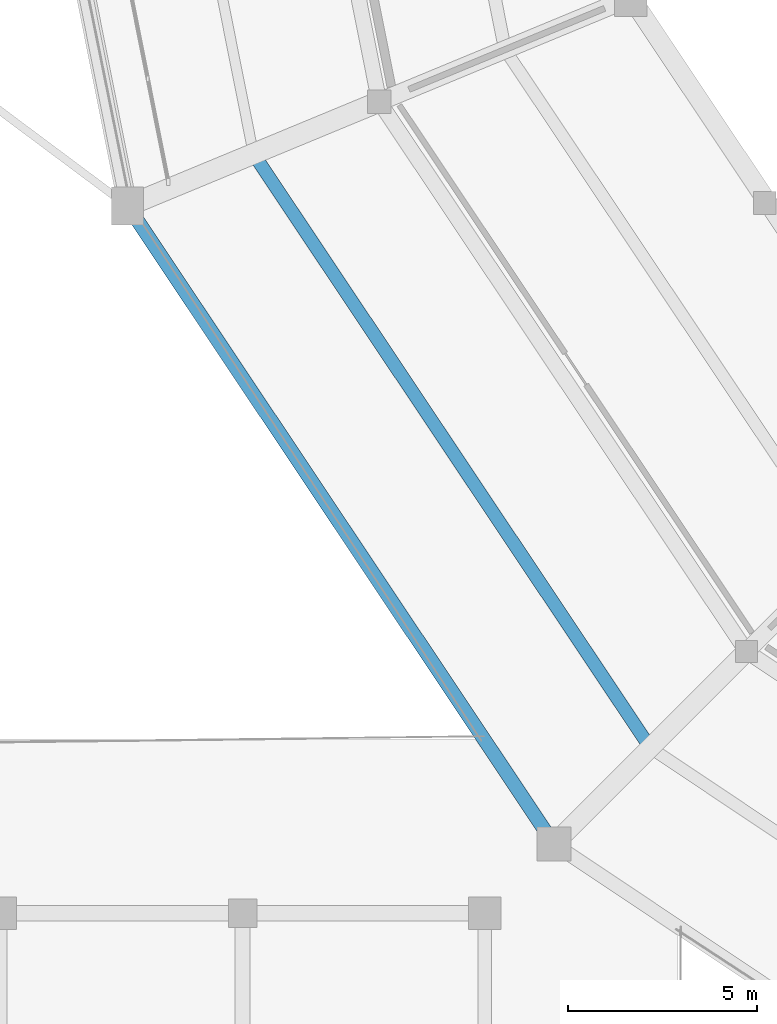
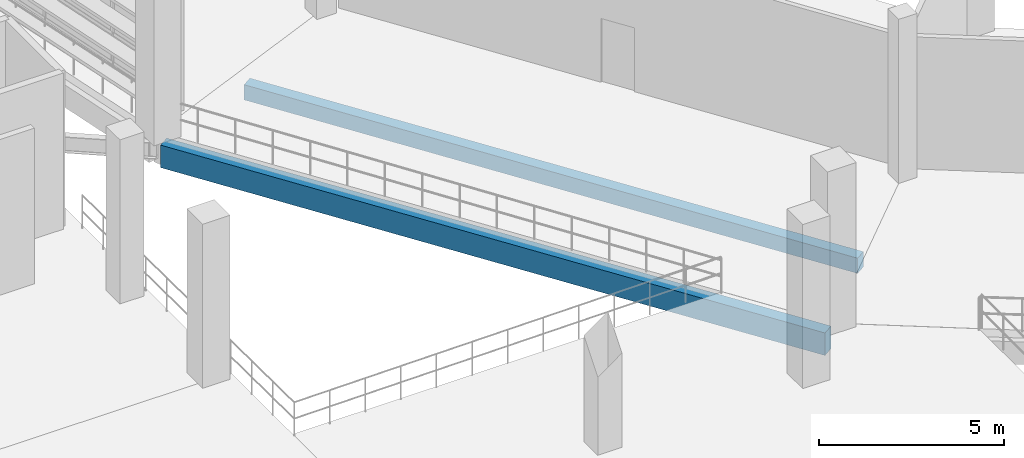
# One storey, part 17 of 114: 2 beams.
"""IFC4 building model written with IfcOpenShell, lengths in metres."""

from ifc_helpers import new_model, si_unit, direction, frame, origin, origin_2d, place, context, subcontext, project, spatial, rectangle, extrude, material, material_profile, profile_set, type_object, element, save


model = new_model("IFC4")

# Units and contexts
model_context = context("Model", 3, precision=1e-05, world=origin(), true_north=direction((0.0, 1.0)))
body_context = subcontext(model_context, "Body", "Model", "MODEL_VIEW")
ifc_project = project(units=[si_unit("LENGTHUNIT", "METRE"), si_unit("AREAUNIT", "SQUARE_METRE"), si_unit("VOLUMEUNIT", "CUBIC_METRE"), si_unit("PLANEANGLEUNIT", "RADIAN"), si_unit("MASSUNIT", "GRAM", prefix="KILO")], contexts=[model_context])

# Site, building, storey
site_placement = place(None, origin())
site = spatial("IfcSite", under=ifc_project, at=site_placement, CompositionType="ELEMENT")
building_placement = place(site_placement, origin())
building = spatial("IfcBuilding", under=site, at=building_placement, Name="Candeia Ridge Stadium", CompositionType="ELEMENT")
storey_placement = place(building_placement, frame((0.0, 0.0, 5.39990234375)))
storey = spatial("IfcBuildingStorey", under=building, at=storey_placement, Name="L01", CompositionType="ELEMENT", Elevation=5.39990234375)

# Beams
ifc_material_1 = material(Name="Concrete C40/50", Category="concrete")
ifc_material_profile_1 = material_profile(ifc_material_1, rectangle(XDim=0.35009765625, YDim=0.5, at=origin_2d()), Name="RC350x500", Category="concrete")
ifc_profile_set_1 = profile_set([ifc_material_profile_1], Name="Concrete C40/50")
beam_type_1 = type_object("IfcBeamType", Name="Floor Joist RC350x500", PredefinedType="JOIST", material=ifc_profile_set_1)
beam_1_placement = place(storey_placement, frame((26.407470703125, 52.29345703125, -0.510009765625), z_axis=(0.555573683674, -0.831467306639, 0.0), x_axis=(0.831467306639, 0.555573683674, 0.0)))
element("IfcBeam", 1, at=beam_1_placement, inside=storey, type_object=beam_type_1, Name="Concourse secondary joist BM-L01-0147", PredefinedType="JOIST", context=body_context, shape_type="SweptSolid", body=[
    extrude(rectangle(XDim=0.35009765625, YDim=0.5, at=origin_2d()), origin(), (0.0, 0.0, 1.0), 18.440673828125),
])
ifc_material_2 = material(Name="Concrete C45/55", Category="concrete")
ifc_material_profile_2 = material_profile(ifc_material_2, rectangle(XDim=0.3701171875, YDim=0.739990234375, at=origin_2d()), Name="RC370x740", Category="concrete")
ifc_profile_set_2 = profile_set([ifc_material_profile_2], Name="Concrete C45/55")
beam_type_2 = type_object("IfcBeamType", Name="Spandrel Beam RC370x740", PredefinedType="SPANDREL", material=ifc_profile_set_2)
beam_2_placement = place(storey_placement, frame((23.047119140625, 50.967529296875, -0.6298828125), z_axis=(0.555571676938, -0.831468647505, 0.0), x_axis=(0.831468647505, 0.555571676938, 0.0)))
element("IfcBeam", 2, at=beam_2_placement, inside=storey, type_object=beam_type_2, Name="Bowl perimeter spandrel BM-L01-0145", PredefinedType="SPANDREL", context=body_context, shape_type="SweptSolid", body=[
    extrude(rectangle(XDim=0.3701171875, YDim=0.739990234375, at=origin_2d()), origin(), (0.0, 0.0, 1.0), 19.969482421875),
])

save(model, "model.ifc")
